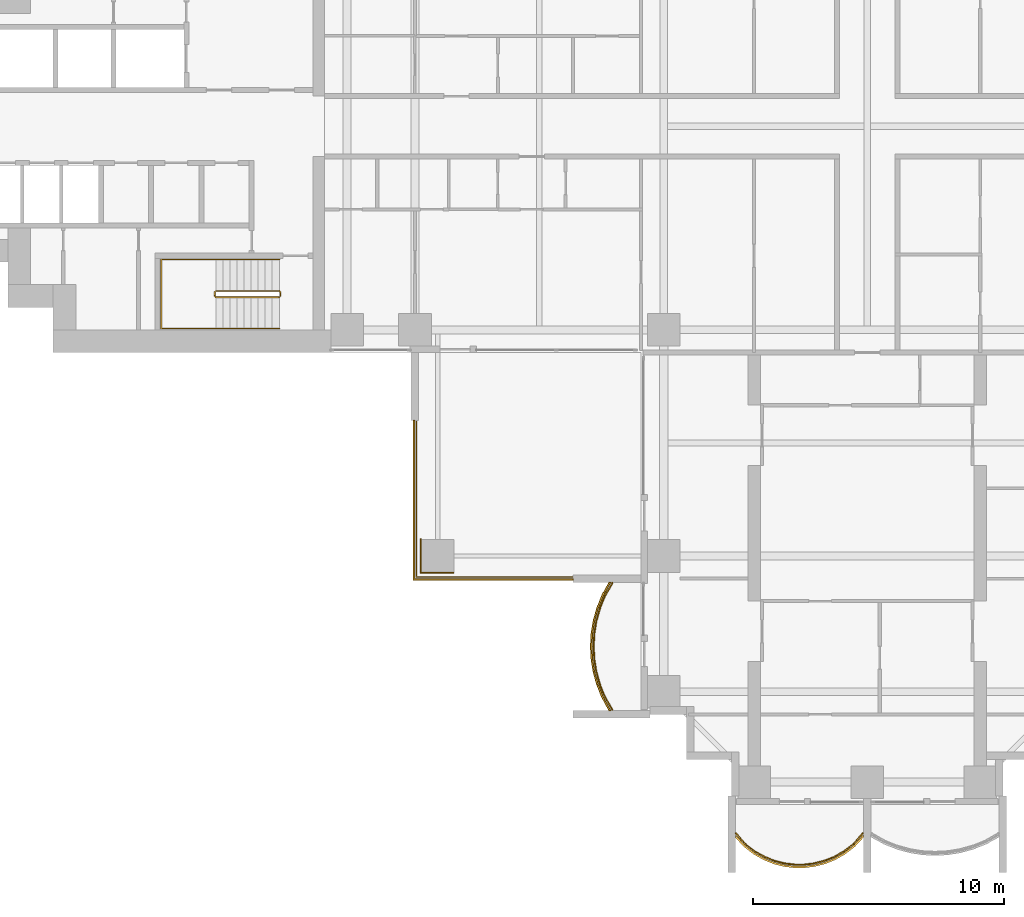
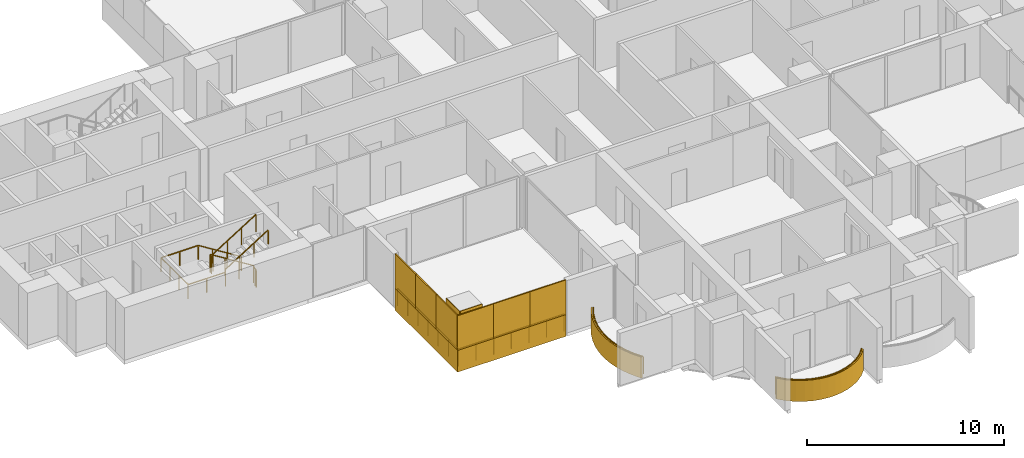
# One storey, part 17 of 20: 11 coverings, 5 railings.
"""IFC4 building model written with IfcOpenShell, lengths in metres."""

from ifc_helpers import new_model, si_unit, direction, frame, origin, origin_2d, place, context, subcontext, project, spatial, polyline, rectangle, outline, extrude, material, layer, layer_set, type_object, element, save


model = new_model("IFC4")

# Units and contexts
model_context = context("Model", 3, precision=1e-05, world=origin(), true_north=direction((0.0, 1.0)))
body_context = subcontext(model_context, "Body", "Model", "MODEL_VIEW")
ifc_project = project(units=[si_unit("LENGTHUNIT", "METRE"), si_unit("AREAUNIT", "SQUARE_METRE"), si_unit("VOLUMEUNIT", "CUBIC_METRE"), si_unit("PLANEANGLEUNIT", "RADIAN"), si_unit("MASSUNIT", "GRAM", prefix="KILO")], contexts=[model_context])

# Site, building, storey
site_placement = place(None, origin())
site = spatial("IfcSite", under=ifc_project, at=site_placement, CompositionType="ELEMENT")
building_placement = place(site_placement, origin())
building = spatial("IfcBuilding", under=site, at=building_placement, Name="Perihelion Cross Residences", CompositionType="ELEMENT")
storey_placement = place(building_placement, frame((0.0, 0.0, 78.5)))
storey = spatial("IfcBuildingStorey", under=building, at=storey_placement, Name="L17", CompositionType="ELEMENT", Elevation=78.5)

# Coverings
ifc_material_1 = material(Name="Bronze anodised aluminium", Category="aluminium")
ifc_layer_1 = layer(ifc_material_1, 0.070068359375)
ifc_layer_set_1 = layer_set([ifc_layer_1], Name="Balcony fascia 1300")
covering_type_1 = type_object("IfcCoveringType", Name="Balcony fascia 1300", PredefinedType="CLADDING", material=ifc_layer_set_1)
covering_1_placement = place(storey_placement, frame((0.0, 0.0, -0.199951171875)))
element("IfcCovering", 1, at=covering_1_placement, inside=storey, type_object=covering_type_1, Name="Fascia BF1 L17 south side west bay 2", PredefinedType="CLADDING", context=body_context, shape_type="SweptSolid", body=[
    extrude(outline(polyline([(-10.54833984375, -18.629638671875), (-10.7607421875, -19.147216796875), (-10.906494140625, -19.664794921875), (-10.991943359375, -20.182373046875), (-11.02001953125, -20.699951171875), (-10.991943359375, -21.217529296875), (-10.906494140625, -21.735107421875), (-10.7607421875, -22.2529296875), (-10.54833984375, -22.7705078125), (-10.2802734375, -23.25), (-10.199951171875, -23.25), (-10.4853515625, -22.739990234375), (-10.694580078125, -22.22998046875), (-10.838134765625, -21.719970703125), (-10.92236328125, -21.2099609375), (-10.949951171875, -20.699951171875), (-10.92236328125, -20.18994140625), (-10.838134765625, -19.679931640625), (-10.694580078125, -19.169921875), (-10.4853515625, -18.659912109375), (-10.199951171875, -18.14990234375), (-10.2802734375, -18.14990234375), (-10.54833984375, -18.629638671875)])), origin(), (0.0, 0.0, 1.0), 1.300048828125),
])
covering_2_placement = place(storey_placement, frame((0.0, 0.0, -0.199951171875)))
element("IfcCovering", 2, at=covering_2_placement, inside=storey, type_object=covering_type_1, Name="Fascia BF1 L17 south tip south bay 1", PredefinedType="CLADDING", context=body_context, shape_type="SweptSolid", body=[
    extrude(outline(polyline([(-4.90478515625, -28.674072265625), (-4.50390625, -28.982666015625), (-4.10302734375, -29.20654296875), (-3.7021484375, -29.364013671875), (-3.30126953125, -29.464599609375), (-2.900390625, -29.513916015625), (-2.49951171875, -29.513916015625), (-2.0986328125, -29.464599609375), (-1.69775390625, -29.364013671875), (-1.296875, -29.20654296875), (-0.89599609375, -28.982666015625), (-0.4951171875, -28.674072265625), (-0.14990234375, -28.302734375), (-0.14990234375, -28.199951171875), (-0.542236328125, -28.622314453125), (-0.9345703125, -28.924072265625), (-1.326904296875, -29.143310546875), (-1.71923828125, -29.29736328125), (-2.111572265625, -29.39599609375), (-2.50390625, -29.444091796875), (-2.896240234375, -29.444091796875), (-3.28857421875, -29.39599609375), (-3.6806640625, -29.29736328125), (-4.072998046875, -29.143310546875), (-4.46533203125, -28.924072265625), (-4.857666015625, -28.622314453125), (-5.25, -28.199951171875), (-5.25, -28.302734375), (-4.90478515625, -28.674072265625)])), origin(), (0.0, 0.0, 1.0), 1.300048828125),
])

# Railings
ifc_material_2 = material(Name="Bronze anodised aluminium", Category="aluminium")
railing_type_1 = type_object("IfcRailingType", Name="Balcony guard 1100", PredefinedType="GUARDRAIL", material=ifc_material_2)
railing_1_placement = place(storey_placement, frame((-10.139892578125, -18.175048828125, 0.0)))
element("IfcRailing", 3, at=railing_1_placement, inside=storey, type_object=railing_type_1, Name="Guard GU1 L17 south side west bay 2 balcony", PredefinedType="GUARDRAIL", context=body_context, shape_type="SweptSolid", body=[
    extrude(rectangle(XDim=0.048095703125, YDim=0.048095703125, at=origin_2d()), frame((0.0, 0.0, 1.076171875), z_axis=(-0.507266632806, -0.861789164031, 0.0), x_axis=(0.861789164031, -0.507266632806, 0.0)), (0.0, 0.0, 1.0), 0.562744140625),
    extrude(rectangle(XDim=0.048095703125, YDim=0.048095703125, at=origin_2d()), frame((-0.285400390625, -0.48486328125, 1.076171875), z_axis=(-0.379546636342, -0.925172605972, 0.0), x_axis=(0.925172605972, -0.379546636342, 0.0)), (0.0, 0.0, 1.0), 0.55126953125),
    extrude(rectangle(XDim=0.048095703125, YDim=0.048095703125, at=origin_2d()), frame((-0.49462890625, -0.994873046875, 1.076171875), z_axis=(-0.271372618732, -0.962474364231, 0.0), x_axis=(0.962474364231, -0.271372618732, 0.0)), (0.0, 0.0, 1.0), 0.52978515625),
    extrude(rectangle(XDim=0.048095703125, YDim=0.048095703125, at=origin_2d()), frame((-0.638427734375, -1.5048828125, 1.076171875), z_axis=(-0.162483799314, -0.986711211531, 0.0), x_axis=(0.986711211531, -0.162483799314, 0.0)), (0.0, 0.0, 1.0), 0.516845703125),
    extrude(rectangle(XDim=0.048095703125, YDim=0.048095703125, at=origin_2d()), frame((-0.722412109375, -2.014892578125, 1.076171875), z_axis=(-0.05401390175, -0.998540183677, 0.0), x_axis=(0.998540183677, -0.05401390175, 0.0)), (0.0, 0.0, 1.0), 0.5107421875),
    extrude(rectangle(XDim=0.048095703125, YDim=0.048095703125, at=origin_2d()), frame((-0.75, -2.52490234375, 1.076171875), z_axis=(0.05401390175, -0.998540183677, 0.0), x_axis=(0.998540183677, 0.05401390175, 0.0)), (0.0, 0.0, 1.0), 0.5107421875),
    extrude(rectangle(XDim=0.048095703125, YDim=0.048095703125, at=origin_2d()), frame((-0.722412109375, -3.034912109375, 1.076171875), z_axis=(0.162483799314, -0.986711211531, 0.0), x_axis=(0.986711211531, 0.162483799314, 0.0)), (0.0, 0.0, 1.0), 0.516845703125),
    extrude(rectangle(XDim=0.048095703125, YDim=0.048095703125, at=origin_2d()), frame((-0.638427734375, -3.544921875, 1.076171875), z_axis=(0.271372618732, -0.962474364231, 0.0), x_axis=(0.962474364231, 0.271372618732, 0.0)), (0.0, 0.0, 1.0), 0.52978515625),
    extrude(rectangle(XDim=0.048095703125, YDim=0.048095703125, at=origin_2d()), frame((-0.49462890625, -4.054931640625, 1.076171875), z_axis=(0.379546636342, -0.925172605972, 0.0), x_axis=(0.925172605972, 0.379546636342, 0.0)), (0.0, 0.0, 1.0), 0.55126953125),
    extrude(rectangle(XDim=0.048095703125, YDim=0.048095703125, at=origin_2d()), frame((-0.285400390625, -4.56494140625, 1.076171875), z_axis=(0.507076995033, -0.861900760591, 0.0), x_axis=(0.861900760591, 0.507076995033, 0.0)), (0.0, 0.0, 1.0), 0.562744140625),
    extrude(rectangle(XDim=0.0419921875, YDim=0.0419921875, at=origin_2d()), origin(), (0.0, 0.0, 1.0), 1.052001953125),
    extrude(rectangle(XDim=0.0419921875, YDim=0.0419921875, at=origin_2d()), frame((-0.285400390625, -0.48486328125, 0.0)), (0.0, 0.0, 1.0), 1.052001953125),
    extrude(rectangle(XDim=0.0419921875, YDim=0.0419921875, at=origin_2d()), frame((-0.49462890625, -0.994873046875, 0.0)), (0.0, 0.0, 1.0), 1.052001953125),
    extrude(rectangle(XDim=0.0419921875, YDim=0.0419921875, at=origin_2d()), frame((-0.638427734375, -1.5048828125, 0.0)), (0.0, 0.0, 1.0), 1.052001953125),
    extrude(rectangle(XDim=0.0419921875, YDim=0.0419921875, at=origin_2d()), frame((-0.722412109375, -2.014892578125, 0.0)), (0.0, 0.0, 1.0), 1.052001953125),
    extrude(rectangle(XDim=0.0419921875, YDim=0.0419921875, at=origin_2d()), frame((-0.75, -2.52490234375, 0.0)), (0.0, 0.0, 1.0), 1.052001953125),
    extrude(rectangle(XDim=0.0419921875, YDim=0.0419921875, at=origin_2d()), frame((-0.722412109375, -3.034912109375, 0.0)), (0.0, 0.0, 1.0), 1.052001953125),
    extrude(rectangle(XDim=0.0419921875, YDim=0.0419921875, at=origin_2d()), frame((-0.638427734375, -3.544921875, 0.0)), (0.0, 0.0, 1.0), 1.052001953125),
    extrude(rectangle(XDim=0.0419921875, YDim=0.0419921875, at=origin_2d()), frame((-0.49462890625, -4.054931640625, 0.0)), (0.0, 0.0, 1.0), 1.052001953125),
    extrude(rectangle(XDim=0.0419921875, YDim=0.0419921875, at=origin_2d()), frame((-0.285400390625, -4.56494140625, 0.0)), (0.0, 0.0, 1.0), 1.052001953125),
    extrude(rectangle(XDim=0.0419921875, YDim=0.0419921875, at=origin_2d()), frame((0.0, -5.050048828125, 0.0)), (0.0, 0.0, 1.0), 1.052001953125),
])
railing_2_placement = place(storey_placement, frame((-5.22509765625, -28.139892578125, 0.0)))
element("IfcRailing", 4, at=railing_2_placement, inside=storey, type_object=railing_type_1, Name="Guard GU1 L17 south tip south bay 1 balcony", PredefinedType="GUARDRAIL", context=body_context, shape_type="SweptSolid", body=[
    extrude(rectangle(XDim=0.048095703125, YDim=0.048095703125, at=origin_2d()), frame((0.0, 0.0, 1.076171875), z_axis=(0.656340655493, -0.754464673757, 0.0), x_axis=(0.754464673757, 0.656340655493, 0.0)), (0.0, 0.0, 1.0), 0.559814453125),
    extrude(rectangle(XDim=0.048095703125, YDim=0.048095703125, at=origin_2d()), frame((0.367431640625, -0.42236328125, 1.076171875), z_axis=(0.792660660899, -0.60966308455, 0.0), x_axis=(0.60966308455, 0.792660660899, 0.0)), (0.0, 0.0, 1.0), 0.494873046875),
    extrude(rectangle(XDim=0.048095703125, YDim=0.048095703125, at=origin_2d()), frame((0.759765625, -0.72412109375, 1.076171875), z_axis=(0.872950285698, -0.487809182674, 0.0), x_axis=(0.487809182674, 0.872950285698, 0.0)), (0.0, 0.0, 1.0), 0.449462890625),
    extrude(rectangle(XDim=0.048095703125, YDim=0.048095703125, at=origin_2d()), frame((1.152099609375, -0.943359375, 1.076171875), z_axis=(0.930814842219, -0.365491079925, 0.0), x_axis=(0.365491079925, 0.930814842219, 0.0)), (0.0, 0.0, 1.0), 0.42138671875),
    extrude(rectangle(XDim=0.048095703125, YDim=0.048095703125, at=origin_2d()), frame((1.54443359375, -1.097412109375, 1.076171875), z_axis=(0.969786252666, -0.243956193074, 0.0), x_axis=(0.243956193074, 0.969786252666, 0.0)), (0.0, 0.0, 1.0), 0.404296875),
    extrude(rectangle(XDim=0.048095703125, YDim=0.048095703125, at=origin_2d()), frame((1.9365234375, -1.196044921875, 1.076171875), z_axis=(0.992569651699, -0.121677797999, 0.0), x_axis=(0.121677797999, 0.992569651699, 0.0)), (0.0, 0.0, 1.0), 0.395263671875),
    extrude(rectangle(XDim=0.048095703125, YDim=0.048095703125, at=origin_2d()), frame((2.328857421875, -1.244140625, 1.076171875), z_axis=(1.0, 0.0, 0.0), x_axis=(0.0, 1.0, 0.0)), (0.0, 0.0, 1.0), 0.392333984375),
    extrude(rectangle(XDim=0.048095703125, YDim=0.048095703125, at=origin_2d()), frame((2.72119140625, -1.244140625, 1.076171875), z_axis=(0.992569651699, 0.121677797999, 0.0), x_axis=(-0.121677797999, 0.992569651699, 0.0)), (0.0, 0.0, 1.0), 0.395263671875),
    extrude(rectangle(XDim=0.048095703125, YDim=0.048095703125, at=origin_2d()), frame((3.113525390625, -1.196044921875, 1.076171875), z_axis=(0.969822159145, 0.243813411509, 0.0), x_axis=(-0.243813411509, 0.969822159145, 0.0)), (0.0, 0.0, 1.0), 0.404541015625),
    extrude(rectangle(XDim=0.048095703125, YDim=0.048095703125, at=origin_2d()), frame((3.505859375, -1.097412109375, 1.076171875), z_axis=(0.930814842219, 0.365491079925, 0.0), x_axis=(-0.365491079925, 0.930814842219, 0.0)), (0.0, 0.0, 1.0), 0.42138671875),
    extrude(rectangle(XDim=0.048095703125, YDim=0.048095703125, at=origin_2d()), frame((3.898193359375, -0.943359375, 1.076171875), z_axis=(0.872950285698, 0.487809182674, 0.0), x_axis=(-0.487809182674, 0.872950285698, 0.0)), (0.0, 0.0, 1.0), 0.449462890625),
    extrude(rectangle(XDim=0.048095703125, YDim=0.048095703125, at=origin_2d()), frame((4.29052734375, -0.72412109375, 1.076171875), z_axis=(0.792660660899, 0.60966308455, 0.0), x_axis=(-0.60966308455, 0.792660660899, 0.0)), (0.0, 0.0, 1.0), 0.494873046875),
    extrude(rectangle(XDim=0.048095703125, YDim=0.048095703125, at=origin_2d()), frame((4.682861328125, -0.42236328125, 1.076171875), z_axis=(0.656092309534, 0.754680648599, 0.0), x_axis=(-0.754680648599, 0.656092309534, 0.0)), (0.0, 0.0, 1.0), 0.5595703125),
    extrude(rectangle(XDim=0.0419921875, YDim=0.0419921875, at=origin_2d()), origin(), (0.0, 0.0, 1.0), 1.052001953125),
    extrude(rectangle(XDim=0.0419921875, YDim=0.0419921875, at=origin_2d()), frame((0.367431640625, -0.42236328125, 0.0)), (0.0, 0.0, 1.0), 1.052001953125),
    extrude(rectangle(XDim=0.0419921875, YDim=0.0419921875, at=origin_2d()), frame((0.759765625, -0.72412109375, 0.0)), (0.0, 0.0, 1.0), 1.052001953125),
    extrude(rectangle(XDim=0.0419921875, YDim=0.0419921875, at=origin_2d()), frame((1.152099609375, -0.943359375, 0.0)), (0.0, 0.0, 1.0), 1.052001953125),
    extrude(rectangle(XDim=0.0419921875, YDim=0.0419921875, at=origin_2d()), frame((1.54443359375, -1.097412109375, 0.0)), (0.0, 0.0, 1.0), 1.052001953125),
    extrude(rectangle(XDim=0.0419921875, YDim=0.0419921875, at=origin_2d()), frame((1.9365234375, -1.196044921875, 0.0)), (0.0, 0.0, 1.0), 1.052001953125),
    extrude(rectangle(XDim=0.0419921875, YDim=0.0419921875, at=origin_2d()), frame((2.328857421875, -1.244140625, 0.0)), (0.0, 0.0, 1.0), 1.052001953125),
    extrude(rectangle(XDim=0.0419921875, YDim=0.0419921875, at=origin_2d()), frame((2.72119140625, -1.244140625, 0.0)), (0.0, 0.0, 1.0), 1.052001953125),
    extrude(rectangle(XDim=0.0419921875, YDim=0.0419921875, at=origin_2d()), frame((3.113525390625, -1.196044921875, 0.0)), (0.0, 0.0, 1.0), 1.052001953125),
    extrude(rectangle(XDim=0.0419921875, YDim=0.0419921875, at=origin_2d()), frame((3.505859375, -1.097412109375, 0.0)), (0.0, 0.0, 1.0), 1.052001953125),
    extrude(rectangle(XDim=0.0419921875, YDim=0.0419921875, at=origin_2d()), frame((3.898193359375, -0.943359375, 0.0)), (0.0, 0.0, 1.0), 1.052001953125),
    extrude(rectangle(XDim=0.0419921875, YDim=0.0419921875, at=origin_2d()), frame((4.29052734375, -0.72412109375, 0.0)), (0.0, 0.0, 1.0), 1.052001953125),
    extrude(rectangle(XDim=0.0419921875, YDim=0.0419921875, at=origin_2d()), frame((4.682861328125, -0.42236328125, 0.0)), (0.0, 0.0, 1.0), 1.052001953125),
    extrude(rectangle(XDim=0.0419921875, YDim=0.0419921875, at=origin_2d()), frame((5.050048828125, 0.0, 0.0)), (0.0, 0.0, 1.0), 1.052001953125),
])
railing_3_placement = place(storey_placement, frame((-11.739990234375, -17.93994140625, 0.0)))
element("IfcRailing", 5, at=railing_3_placement, inside=storey, type_object=railing_type_1, Name="Guard GU1 L17 pocket south-west 1", PredefinedType="GUARDRAIL", context=body_context, shape_type="SweptSolid", body=[
    extrude(rectangle(XDim=0.048095703125, YDim=0.048095703125, at=origin_2d()), frame((0.0, 0.0, 1.076171875), z_axis=(-1.0, 0.0, 0.0), x_axis=(0.0, -1.0, 0.0)), (0.0, 0.0, 1.0), 6.199951171875),
    extrude(rectangle(XDim=0.048095703125, YDim=0.048095703125, at=origin_2d()), frame((-6.199951171875, 0.0, 1.076171875), z_axis=(0.0, 1.0, 0.0), x_axis=(-1.0, 0.0, 0.0)), (0.0, 0.0, 1.0), 6.199951171875),
    extrude(rectangle(XDim=0.0419921875, YDim=0.0419921875, at=origin_2d()), origin(), (0.0, 0.0, 1.0), 1.052001953125),
    extrude(rectangle(XDim=0.0419921875, YDim=0.0419921875, at=origin_2d()), frame((-1.033203125, 0.0, 0.0)), (0.0, 0.0, 1.0), 1.052001953125),
    extrude(rectangle(XDim=0.0419921875, YDim=0.0419921875, at=origin_2d()), frame((-2.066650390625, 0.0, 0.0)), (0.0, 0.0, 1.0), 1.052001953125),
    extrude(rectangle(XDim=0.0419921875, YDim=0.0419921875, at=origin_2d()), frame((-3.10009765625, 0.0, 0.0)), (0.0, 0.0, 1.0), 1.052001953125),
    extrude(rectangle(XDim=0.0419921875, YDim=0.0419921875, at=origin_2d()), frame((-4.13330078125, 0.0, 0.0)), (0.0, 0.0, 1.0), 1.052001953125),
    extrude(rectangle(XDim=0.0419921875, YDim=0.0419921875, at=origin_2d()), frame((-5.16650390625, 0.0, 0.0)), (0.0, 0.0, 1.0), 1.052001953125),
    extrude(rectangle(XDim=0.0419921875, YDim=0.0419921875, at=origin_2d()), frame((-6.199951171875, 0.0, 0.0)), (0.0, 0.0, 1.0), 1.052001953125),
    extrude(rectangle(XDim=0.0419921875, YDim=0.0419921875, at=origin_2d()), frame((-6.199951171875, 1.033203125, 0.0)), (0.0, 0.0, 1.0), 1.052001953125),
    extrude(rectangle(XDim=0.0419921875, YDim=0.0419921875, at=origin_2d()), frame((-6.199951171875, 2.066650390625, 0.0)), (0.0, 0.0, 1.0), 1.052001953125),
    extrude(rectangle(XDim=0.0419921875, YDim=0.0419921875, at=origin_2d()), frame((-6.199951171875, 3.10009765625, 0.0)), (0.0, 0.0, 1.0), 1.052001953125),
    extrude(rectangle(XDim=0.0419921875, YDim=0.0419921875, at=origin_2d()), frame((-6.199951171875, 4.13330078125, 0.0)), (0.0, 0.0, 1.0), 1.052001953125),
    extrude(rectangle(XDim=0.0419921875, YDim=0.0419921875, at=origin_2d()), frame((-6.199951171875, 5.16650390625, 0.0)), (0.0, 0.0, 1.0), 1.052001953125),
    extrude(rectangle(XDim=0.0419921875, YDim=0.0419921875, at=origin_2d()), frame((-6.199951171875, 6.199951171875, 0.0)), (0.0, 0.0, 1.0), 1.052001953125),
])

# Coverings
ifc_material_3 = material(Name="Bronze anodised aluminium", Category="aluminium")
ifc_layer_2 = layer(ifc_material_3, 0.0400390625)
ifc_layer_set_2 = layer_set([ifc_layer_2], Name="Bronze column casing 40")
covering_type_2 = type_object("IfcCoveringType", Name="Bronze column casing 40", PredefinedType="CLADDING", material=ifc_layer_set_2)
covering_3_placement = place(storey_placement, frame((-17.77001953125, -17.10009765625, -0.25), z_axis=(0.0, 0.0, 1.0), x_axis=(1.0, 0.0, 0.0)))
element("IfcCovering", 6, at=covering_3_placement, inside=storey, type_object=covering_type_2, Name="Cladding CC1 L17 casing east-west no. 1", PredefinedType="CLADDING", context=body_context, shape_type="SweptSolid", body=[
    extrude(rectangle(XDim=0.0400390625, YDim=1.3798828125, at=origin_2d()), origin(), (0.0, 0.0, 1.0), 3.5),
])
covering_4_placement = place(storey_placement, frame((-17.10009765625, -17.77001953125, -0.25), z_axis=(0.0, 0.0, 1.0), x_axis=(1.0, 0.0, 0.0)))
element("IfcCovering", 7, at=covering_4_placement, inside=storey, type_object=covering_type_2, Name="Cladding CC1 L17 casing north-south no. 1", PredefinedType="CLADDING", context=body_context, shape_type="SweptSolid", body=[
    extrude(rectangle(XDim=1.300048828125, YDim=0.0400390625, at=origin_2d()), origin(), (0.0, 0.0, 1.0), 3.5),
])
ifc_material_4 = material(Name="Bronze anodised aluminium", Category="aluminium")
ifc_layer_3 = layer(ifc_material_4, 0.070068359375)
ifc_layer_set_3 = layer_set([ifc_layer_3], Name="Pocket fascia 1350")
covering_type_3 = type_object("IfcCoveringType", Name="Pocket fascia 1350", PredefinedType="CLADDING", material=ifc_layer_set_3)
covering_5_placement = place(storey_placement, frame((0.0, 0.0, -0.25)))
element("IfcCovering", 8, at=covering_5_placement, inside=storey, type_object=covering_type_3, Name="Fascia BF2 L17 pocket south-west 1", PredefinedType="CLADDING", context=body_context, shape_type="SweptSolid", body=[
    extrude(outline(polyline([(-18.070068359375, -11.699951171875), (-18.070068359375, -18.070068359375), (-11.699951171875, -18.070068359375), (-11.699951171875, -18.0), (-18.0, -18.0), (-18.0, -11.699951171875), (-18.070068359375, -11.699951171875)])), origin(), (0.0, 0.0, 1.0), 1.35009765625),
])
ifc_material_5 = material(Name="Bronze perforated aluminium", Category="aluminium")
ifc_layer_4 = layer(ifc_material_5, 0.070068359375)
ifc_layer_set_4 = layer_set([ifc_layer_4], Name="Pocket solar screen, bronze perforated")
covering_type_4 = type_object("IfcCoveringType", Name="Pocket solar screen, bronze perforated", PredefinedType="CLADDING", material=ifc_layer_set_4)
covering_6_placement = place(storey_placement, frame((0.0, 0.0, 1.10009765625)))
element("IfcCovering", 9, at=covering_6_placement, inside=storey, type_object=covering_type_4, Name="Solar screen PS1 L17 pocket south-west no. 1", PredefinedType="CLADDING", context=body_context, shape_type="SweptSolid", body=[
    extrude(outline(polyline([(-18.0, -18.0), (-18.0, -15.89990234375), (-18.070068359375, -15.89990234375), (-18.070068359375, -18.0), (-18.0, -18.0)])), origin(), (0.0, 0.0, 1.0), 2.14990234375),
])
covering_7_placement = place(storey_placement, frame((0.0, 0.0, 1.10009765625)))
element("IfcCovering", 10, at=covering_7_placement, inside=storey, type_object=covering_type_4, Name="Solar screen PS1 L17 pocket south-west no. 2", PredefinedType="CLADDING", context=body_context, shape_type="SweptSolid", body=[
    extrude(outline(polyline([(-18.0, -15.89990234375), (-18.0, -13.800048828125), (-18.070068359375, -13.800048828125), (-18.070068359375, -15.89990234375), (-18.0, -15.89990234375)])), origin(), (0.0, 0.0, 1.0), 2.14990234375),
])
covering_8_placement = place(storey_placement, frame((0.0, 0.0, 1.10009765625)))
element("IfcCovering", 11, at=covering_8_placement, inside=storey, type_object=covering_type_4, Name="Solar screen PS1 L17 pocket south-west no. 3", PredefinedType="CLADDING", context=body_context, shape_type="SweptSolid", body=[
    extrude(outline(polyline([(-18.0, -13.800048828125), (-18.0, -11.699951171875), (-18.070068359375, -11.699951171875), (-18.070068359375, -13.800048828125), (-18.0, -13.800048828125)])), origin(), (0.0, 0.0, 1.0), 2.14990234375),
])
covering_9_placement = place(storey_placement, frame((0.0, 0.0, 1.10009765625)))
element("IfcCovering", 12, at=covering_9_placement, inside=storey, type_object=covering_type_4, Name="Solar screen PS1 L17 pocket south-west no. 4", PredefinedType="CLADDING", context=body_context, shape_type="SweptSolid", body=[
    extrude(outline(polyline([(-15.94677734375, -18.070068359375), (-15.94677734375, -18.0), (-18.070068359375, -18.0), (-18.070068359375, -18.070068359375), (-15.94677734375, -18.070068359375)])), origin(), (0.0, 0.0, 1.0), 2.14990234375),
])
covering_10_placement = place(storey_placement, frame((0.0, 0.0, 1.10009765625)))
element("IfcCovering", 13, at=covering_10_placement, inside=storey, type_object=covering_type_4, Name="Solar screen PS1 L17 pocket south-west no. 5", PredefinedType="CLADDING", context=body_context, shape_type="SweptSolid", body=[
    extrude(outline(polyline([(-13.8232421875, -18.070068359375), (-13.8232421875, -18.0), (-15.94677734375, -18.0), (-15.94677734375, -18.070068359375), (-13.8232421875, -18.070068359375)])), origin(), (0.0, 0.0, 1.0), 2.14990234375),
])
covering_11_placement = place(storey_placement, frame((0.0, 0.0, 1.10009765625)))
element("IfcCovering", 14, at=covering_11_placement, inside=storey, type_object=covering_type_4, Name="Solar screen PS1 L17 pocket south-west no. 6", PredefinedType="CLADDING", context=body_context, shape_type="SweptSolid", body=[
    extrude(outline(polyline([(-11.699951171875, -18.070068359375), (-11.699951171875, -18.0), (-13.8232421875, -18.0), (-13.8232421875, -18.070068359375), (-11.699951171875, -18.070068359375)])), origin(), (0.0, 0.0, 1.0), 2.14990234375),
])

# Railings
ifc_material_6 = material(Name="Stainless steel", Category="steel")
railing_type_2 = type_object("IfcRailingType", Name="Stair guard 1100", PredefinedType="GUARDRAIL", material=ifc_material_6)
railing_4_placement = place(storey_placement, frame((-23.35009765625, -6.75, 0.0)))
element("IfcRailing", 15, at=railing_4_placement, inside=storey, type_object=railing_type_2, Name="L17 ST-W2 stair guard 1", PredefinedType="GUARDRAIL", context=body_context, shape_type="SweptSolid", body=[
    extrude(rectangle(XDim=0.048095703125, YDim=0.048095703125, at=origin_2d()), frame((0.0, 0.0, 1.076171875), z_axis=(0.0, 1.0, 0.0), x_axis=(-1.0, 0.0, 0.0)), (0.0, 0.0, 1.0), 0.14990234375),
    extrude(rectangle(XDim=0.048095703125, YDim=0.048095703125, at=origin_2d()), frame((0.0, 0.14990234375, 1.076171875), z_axis=(-0.263862480399, 0.265155923931, 0.927399011991), x_axis=(-0.708833529934, -0.705375805398, 0.0)), (0.0, 0.0, 1.0), 0.188720703125),
    extrude(rectangle(XDim=0.048095703125, YDim=0.048095703125, at=origin_2d()), frame((-0.0498046875, 0.199951171875, 1.2509765625), z_axis=(-0.848007534815, 0.0, 0.529984170421), x_axis=(0.0, -1.0, 0.0)), (0.0, 0.0, 1.0), 2.9716796875),
    extrude(rectangle(XDim=0.048095703125, YDim=0.048095703125, at=origin_2d()), frame((-2.56982421875, 0.199951171875, 2.826171875), z_axis=(-0.707106781187, -0.707106781187, 0.0), x_axis=(0.707106781187, -0.707106781187, 0.0)), (0.0, 0.0, 1.0), 0.07080078125),
    extrude(rectangle(XDim=0.048095703125, YDim=0.048095703125, at=origin_2d()), frame((-2.619873046875, 0.14990234375, 2.826171875), z_axis=(0.0, -1.0, 0.0), x_axis=(1.0, 0.0, 0.0)), (0.0, 0.0, 1.0), 0.14990234375),
    extrude(rectangle(XDim=0.048095703125, YDim=0.048095703125, at=origin_2d()), frame((-2.619873046875, 0.0, 2.826171875), z_axis=(0.265065253269, -0.265065253269, 0.927081885822), x_axis=(0.707106781187, 0.707106781187, 0.0)), (0.0, 0.0, 1.0), 0.188720703125),
    extrude(rectangle(XDim=0.048095703125, YDim=0.048095703125, at=origin_2d()), frame((-2.56982421875, -0.050048828125, 3.0009765625), z_axis=(0.848007534815, 0.0, 0.529984170421), x_axis=(0.0, 1.0, 0.0)), (0.0, 0.0, 1.0), 2.9716796875),
    extrude(rectangle(XDim=0.0419921875, YDim=0.0419921875, at=origin_2d()), origin(), (0.0, 0.0, 1.0), 1.052001953125),
    extrude(rectangle(XDim=0.0419921875, YDim=0.0419921875, at=origin_2d()), frame((0.0, 0.14990234375, 0.0)), (0.0, 0.0, 1.0), 1.052001953125),
    extrude(rectangle(XDim=0.0419921875, YDim=0.0419921875, at=origin_2d()), frame((-0.0498046875, 0.199951171875, 0.175048828125)), (0.0, 0.0, 1.0), 1.052001953125),
    extrude(rectangle(XDim=0.0419921875, YDim=0.0419921875, at=origin_2d()), frame((-0.889892578125, 0.199951171875, 0.699951171875)), (0.0, 0.0, 1.0), 1.052001953125),
    extrude(rectangle(XDim=0.0419921875, YDim=0.0419921875, at=origin_2d()), frame((-1.729736328125, 0.199951171875, 1.22509765625)), (0.0, 0.0, 1.0), 1.052001953125),
    extrude(rectangle(XDim=0.0419921875, YDim=0.0419921875, at=origin_2d()), frame((-2.56982421875, 0.199951171875, 1.75)), (0.0, 0.0, 1.0), 1.052001953125),
    extrude(rectangle(XDim=0.0419921875, YDim=0.0419921875, at=origin_2d()), frame((-2.619873046875, 0.14990234375, 1.75)), (0.0, 0.0, 1.0), 1.052001953125),
    extrude(rectangle(XDim=0.0419921875, YDim=0.0419921875, at=origin_2d()), frame((-2.619873046875, 0.0, 1.75)), (0.0, 0.0, 1.0), 1.052001953125),
    extrude(rectangle(XDim=0.0419921875, YDim=0.0419921875, at=origin_2d()), frame((-2.56982421875, -0.050048828125, 1.925048828125)), (0.0, 0.0, 1.0), 1.052001953125),
    extrude(rectangle(XDim=0.0419921875, YDim=0.0419921875, at=origin_2d()), frame((-1.729736328125, -0.050048828125, 2.449951171875)), (0.0, 0.0, 1.0), 1.052001953125),
    extrude(rectangle(XDim=0.0419921875, YDim=0.0419921875, at=origin_2d()), frame((-0.889892578125, -0.050048828125, 2.97509765625)), (0.0, 0.0, 1.0), 1.052001953125),
    extrude(rectangle(XDim=0.0419921875, YDim=0.0419921875, at=origin_2d()), frame((-0.0498046875, -0.050048828125, 3.5)), (0.0, 0.0, 1.0), 1.052001953125),
])
ifc_material_7 = material(Name="Stainless steel", Category="steel")
railing_type_3 = type_object("IfcRailingType", Name="Stair handrail 900", PredefinedType="HANDRAIL", material=ifc_material_7)
railing_5_placement = place(storey_placement, frame((-23.39990234375, -5.300048828125, 0.175048828125)))
element("IfcRailing", 16, at=railing_5_placement, inside=storey, type_object=railing_type_3, Name="L17 ST-W2 stair handrail 1", PredefinedType="HANDRAIL", context=body_context, shape_type="SweptSolid", body=[
    extrude(rectangle(XDim=0.048095703125, YDim=0.048095703125, at=origin_2d()), frame((0.0, 0.0, 0.8759765625), z_axis=(-0.848007534815, 0.0, 0.529984170421), x_axis=(0.0, -1.0, 0.0)), (0.0, 0.0, 1.0), 2.9716796875),
    extrude(rectangle(XDim=0.048095703125, YDim=0.048095703125, at=origin_2d()), frame((-2.52001953125, 0.0, 2.45068359375), z_axis=(-1.0, 0.0, 0.0), x_axis=(0.0, -1.0, 0.0)), (0.0, 0.0, 1.0), 2.18017578125),
    extrude(rectangle(XDim=0.048095703125, YDim=0.048095703125, at=origin_2d()), frame((-4.7001953125, 0.0, 2.45068359375), z_axis=(0.0, -1.0, 0.0), x_axis=(1.0, 0.0, 0.0)), (0.0, 0.0, 1.0), 2.75),
    extrude(rectangle(XDim=0.048095703125, YDim=0.048095703125, at=origin_2d()), frame((-4.7001953125, -2.75, 2.45068359375), z_axis=(1.0, 0.0, 0.0), x_axis=(0.0, 1.0, 0.0)), (0.0, 0.0, 1.0), 2.18017578125),
    extrude(rectangle(XDim=0.048095703125, YDim=0.048095703125, at=origin_2d()), frame((-2.52001953125, -2.75, 2.45068359375), z_axis=(0.0, 0.0, 1.0), x_axis=(1.0, 0.0, 0.0)), (0.0, 0.0, 1.0), 0.175048828125),
    extrude(rectangle(XDim=0.048095703125, YDim=0.048095703125, at=origin_2d()), frame((-2.52001953125, -2.75, 2.6259765625), z_axis=(0.848007534815, 0.0, 0.529984170421), x_axis=(0.0, 1.0, 0.0)), (0.0, 0.0, 1.0), 2.9716796875),
    extrude(rectangle(XDim=0.0419921875, YDim=0.0419921875, at=origin_2d()), origin(), (0.0, 0.0, 1.0), 0.851806640625),
    extrude(rectangle(XDim=0.0419921875, YDim=0.0419921875, at=origin_2d()), frame((-0.840087890625, 0.0, 0.52490234375)), (0.0, 0.0, 1.0), 0.851806640625),
    extrude(rectangle(XDim=0.0419921875, YDim=0.0419921875, at=origin_2d()), frame((-1.679931640625, 0.0, 1.050048828125)), (0.0, 0.0, 1.0), 0.851806640625),
    extrude(rectangle(XDim=0.0419921875, YDim=0.0419921875, at=origin_2d()), frame((-2.52001953125, 0.0, 1.574951171875)), (0.0, 0.0, 1.0), 0.851806640625),
    extrude(rectangle(XDim=0.0419921875, YDim=0.0419921875, at=origin_2d()), frame((-3.610107421875, 0.0, 1.574951171875)), (0.0, 0.0, 1.0), 0.851806640625),
    extrude(rectangle(XDim=0.0419921875, YDim=0.0419921875, at=origin_2d()), frame((-4.7001953125, 0.0, 1.574951171875)), (0.0, 0.0, 1.0), 0.851806640625),
    extrude(rectangle(XDim=0.0419921875, YDim=0.0419921875, at=origin_2d()), frame((-4.7001953125, -0.916748046875, 1.574951171875)), (0.0, 0.0, 1.0), 0.851806640625),
    extrude(rectangle(XDim=0.0419921875, YDim=0.0419921875, at=origin_2d()), frame((-4.7001953125, -1.833251953125, 1.574951171875)), (0.0, 0.0, 1.0), 0.851806640625),
    extrude(rectangle(XDim=0.0419921875, YDim=0.0419921875, at=origin_2d()), frame((-4.7001953125, -2.75, 1.574951171875)), (0.0, 0.0, 1.0), 0.851806640625),
    extrude(rectangle(XDim=0.0419921875, YDim=0.0419921875, at=origin_2d()), frame((-3.610107421875, -2.75, 1.574951171875)), (0.0, 0.0, 1.0), 0.851806640625),
    extrude(rectangle(XDim=0.0419921875, YDim=0.0419921875, at=origin_2d()), frame((-2.52001953125, -2.75, 1.574951171875)), (0.0, 0.0, 1.0), 0.851806640625),
    extrude(rectangle(XDim=0.0419921875, YDim=0.0419921875, at=origin_2d()), frame((-2.52001953125, -2.75, 1.75)), (0.0, 0.0, 1.0), 0.851806640625),
    extrude(rectangle(XDim=0.0419921875, YDim=0.0419921875, at=origin_2d()), frame((-1.679931640625, -2.75, 2.27490234375)), (0.0, 0.0, 1.0), 0.851806640625),
    extrude(rectangle(XDim=0.0419921875, YDim=0.0419921875, at=origin_2d()), frame((-0.840087890625, -2.75, 2.800048828125)), (0.0, 0.0, 1.0), 0.851806640625),
    extrude(rectangle(XDim=0.0419921875, YDim=0.0419921875, at=origin_2d()), frame((0.0, -2.75, 3.324951171875)), (0.0, 0.0, 1.0), 0.851806640625),
])

save(model, "model.ifc")
